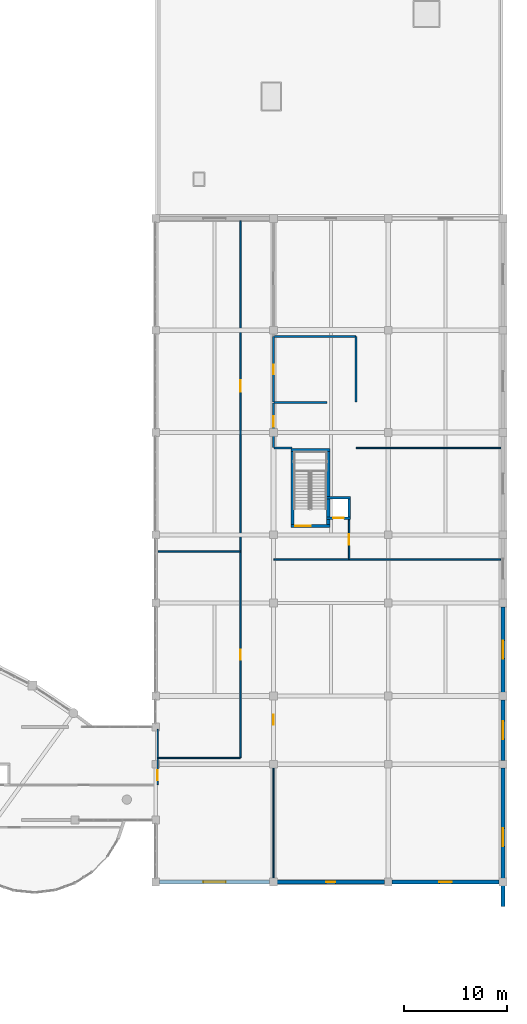
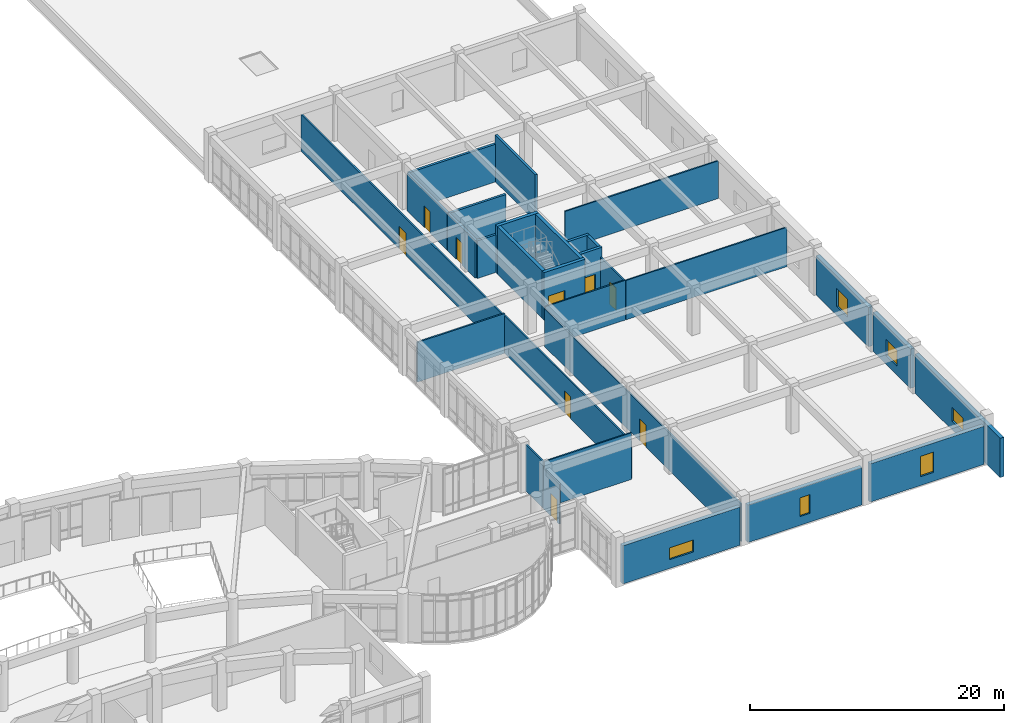
# One storey, part 55 of 68: 30 walls, 9 doors, 6 windows, 15 openings.
"""IFC4 building model written with IfcOpenShell, lengths in metres."""

from ifc_helpers import new_model, si_unit, direction, frame, frame_2d, origin, place, context, subcontext, project, spatial, rectangle, extrude, material, layer, layer_set, type_object, element, fill, save


model = new_model("IFC4")

# Units and contexts
model_context = context("Model", 3, precision=1e-05, world=origin(), true_north=direction((0.0, 1.0)))
body_context = subcontext(model_context, "Body", "Model", "MODEL_VIEW")
ifc_project = project(units=[si_unit("LENGTHUNIT", "METRE"), si_unit("AREAUNIT", "SQUARE_METRE"), si_unit("VOLUMEUNIT", "CUBIC_METRE"), si_unit("PLANEANGLEUNIT", "RADIAN"), si_unit("MASSUNIT", "GRAM", prefix="KILO")], contexts=[model_context])

# Site, building, storey
site_placement = place(None, origin())
site = spatial("IfcSite", under=ifc_project, at=site_placement, CompositionType="ELEMENT")
building_placement = place(site_placement, origin())
building = spatial("IfcBuilding", under=site, at=building_placement, Name="Miralva Faculty of Natural Sciences", CompositionType="ELEMENT")
storey_placement = place(building_placement, frame((0.0, 0.0, 5.39990234375)))
storey = spatial("IfcBuildingStorey", under=building, at=storey_placement, Name="L01", CompositionType="ELEMENT", Elevation=5.39990234375)

# Wall, opening, door
ifc_material_1 = material(Name="Concrete C40/50", Category="concrete")
ifc_layer_1 = layer(ifc_material_1, 0.300048828125, Name="WL-CW03")
ifc_layer_set_1 = layer_set([ifc_layer_1], Name="Concrete C40/50")
wall_type_1 = type_object("IfcWallType", Name="WL-CW03", PredefinedType="SHEAR", material=ifc_layer_set_1)
wall_1_placement = place(storey_placement, frame((146.89990234375, 46.449951171875, 0.0), z_axis=(0.0, 0.0, 1.0), x_axis=(1.0, 0.0, 0.0)))
wall_1 = element("IfcWall", 1, at=wall_1_placement, inside=storey, type_object=wall_type_1, Name="Core C4 shear wall south L01", PredefinedType="SHEAR", context=body_context, shape_type="SweptSolid", body=[
    extrude(rectangle(XDim=3.75, YDim=0.300048828125, at=frame_2d((1.875, 0.0))), origin(), (0.0, 0.0, 1.0), 4.580078125),
])
opening_1_placement = place(wall_1_placement, frame((0.39990234375, 0.0, 0.0)))
opening_1 = element("IfcOpeningElement", 2, at=opening_1_placement, cuts=wall_1, Name="Opening D-11", PredefinedType="OPENING", context=body_context, shape_type="SweptSolid", body=[
    extrude(rectangle(XDim=1.5, YDim=2.199951171875, at=frame_2d((0.75, 1.10009765625))), frame((0.0, 0.159912109375, 0.0), z_axis=(0.0, -1.0, 0.0), x_axis=(1.0, 0.0, 0.0)), (0.0, 0.0, 1.0), 0.320068359375),
])
ifc_material_2 = material(Name="Galvanised steel", Category="steel")
door_type_1 = type_object("IfcDoorType", Name="DR-DI11", OperationType="DOUBLE_DOOR_SINGLE_SWING", PredefinedType="DOOR", material=ifc_material_2)
door_1_placement = place(opening_1_placement, frame((1.5, 0.0, 0.0), z_axis=(0.0, 0.0, 1.0), x_axis=(-1.0, 0.0, 0.0)))
door_1 = element("IfcDoor", 3, at=door_1_placement, inside=storey, type_object=door_type_1, Name="Protected exit stair door Core C4 L01", OperationType="DOUBLE_DOOR_SINGLE_SWING", OverallHeight=2.199951171875, OverallWidth=1.5, PredefinedType="DOOR", context=body_context, shape_type="SweptSolid", body=[
    extrude(rectangle(XDim=1.5, YDim=2.199951171875, at=frame_2d((0.75, 1.10009765625))), frame((0.0, 0.02490234375, 0.0), z_axis=(0.0, -1.0, 0.0), x_axis=(1.0, 0.0, 0.0)), (0.0, 0.0, 1.0), 0.050048828125),
])
fill(opening_1, door_1)

# Walls
wall_2_placement = place(storey_placement, frame((146.89990234375, 53.800048828125, 0.0), z_axis=(0.0, 0.0, 1.0), x_axis=(1.0, 0.0, 0.0)))
element("IfcWall", 4, at=wall_2_placement, inside=storey, type_object=wall_type_1, Name="Core C4 shear wall north L01", PredefinedType="SHEAR", context=body_context, shape_type="SweptSolid", body=[
    extrude(rectangle(XDim=3.75, YDim=0.300048828125, at=frame_2d((1.875, 0.0))), origin(), (0.0, 0.0, 1.0), 4.580078125),
])
for number, where, z_axis, x_axis, name in (
    (5, (147.050048828125, 46.60009765625, 0.0), (0.0, 0.0, 1.0), (0.0, 1.0, 0.0), "Core C4 shear wall west L01"),
    (6, (150.5, 46.60009765625, 0.0), (0.0, 0.0, 1.0), (0.0, 1.0, 0.0), "Core C4 shear wall east L01"),
):
    element("IfcWall", number, at=place(storey_placement, frame(where, z_axis=z_axis, x_axis=x_axis)), inside=storey, type_object=wall_type_1, Name=name, PredefinedType="SHEAR", context=body_context, shape_type="SweptSolid", body=[
        extrude(rectangle(XDim=7.0498046875, YDim=0.300048828125, at=frame_2d((3.52490234375, 0.0))), origin(), (0.0, 0.0, 1.0), 4.580078125),
    ])

# Wall, opening, door
ifc_layer_2 = layer(ifc_material_1, 0.25, Name="WL-CW04")
ifc_layer_set_2 = layer_set([ifc_layer_2], Name="Concrete C40/50")
wall_type_2 = type_object("IfcWallType", Name="WL-CW04", PredefinedType="SHEAR", material=ifc_layer_set_2)
wall_3_placement = place(storey_placement, frame((150.35498046875, 47.205078125, 0.0), z_axis=(0.0, 0.0, 1.0), x_axis=(1.0, 0.0, 0.0)))
wall_3 = element("IfcWall", 7, at=wall_3_placement, inside=storey, type_object=wall_type_2, Name="Lift L-06 hoistway front wall L01", PredefinedType="SHEAR", context=body_context, shape_type="SweptSolid", body=[
    extrude(rectangle(XDim=2.2900390625, YDim=0.25, at=frame_2d((1.14501953125, 0.0))), origin(), (0.0, 0.0, 1.0), 4.56005859375),
])
opening_2_placement = place(wall_3_placement, frame((0.6201171875, 0.0, 0.0)))
opening_2 = element("IfcOpeningElement", 8, at=opening_2_placement, cuts=wall_3, Name="Opening LD-03", PredefinedType="OPENING", context=body_context, shape_type="SweptSolid", body=[
    extrude(rectangle(XDim=1.050048828125, YDim=2.14990234375, at=frame_2d((0.52490234375, 1.074951171875))), frame((0.0, 0.135009765625, 0.0), z_axis=(0.0, -1.0, 0.0), x_axis=(1.0, 0.0, 0.0)), (0.0, 0.0, 1.0), 0.27001953125),
])
door_type_2 = type_object("IfcDoorType", Name="DR-LD03", OperationType="SLIDING_TO_RIGHT", PredefinedType="DOOR", material=ifc_material_2)
door_2_placement = place(opening_2_placement, frame((1.050048828125, 0.0, 0.0), z_axis=(0.0, 0.0, 1.0), x_axis=(-1.0, 0.0, 0.0)))
door_2 = element("IfcDoor", 9, at=door_2_placement, inside=storey, type_object=door_type_2, Name="Lift L-06 sliding landing door L01", OperationType="SLIDING_TO_RIGHT", OverallHeight=2.14990234375, OverallWidth=1.050048828125, PredefinedType="DOOR", context=body_context, shape_type="SweptSolid", body=[
    extrude(rectangle(XDim=1.050048828125, YDim=2.14990234375, at=frame_2d((0.52490234375, 1.074951171875))), frame((0.0, 0.02490234375, 0.0), z_axis=(0.0, -1.0, 0.0), x_axis=(1.0, 0.0, 0.0)), (0.0, 0.0, 1.0), 0.050048828125),
])
fill(opening_2, door_2)

# Walls
wall_4_placement = place(storey_placement, frame((150.35498046875, 49.195068359375, 0.0), z_axis=(0.0, 0.0, 1.0), x_axis=(1.0, 0.0, 0.0)))
element("IfcWall", 10, at=wall_4_placement, inside=storey, type_object=wall_type_2, Name="Lift L-06 hoistway rear wall L01", PredefinedType="SHEAR", context=body_context, shape_type="SweptSolid", body=[
    extrude(rectangle(XDim=2.2900390625, YDim=0.25, at=frame_2d((1.14501953125, 0.0))), origin(), (0.0, 0.0, 1.0), 4.56005859375),
])
wall_5_placement = place(storey_placement, frame((152.52001953125, 47.330078125, 0.0), z_axis=(0.0, 0.0, 1.0), x_axis=(0.0, 1.0, 0.0)))
element("IfcWall", 11, at=wall_5_placement, inside=storey, type_object=wall_type_2, Name="Lift L-06 hoistway E wall L01", PredefinedType="SHEAR", context=body_context, shape_type="SweptSolid", body=[
    extrude(rectangle(XDim=1.739990234375, YDim=0.25, at=frame_2d((0.8701171875, 0.0))), origin(), (0.0, 0.0, 1.0), 4.56005859375),
])
ifc_material_3 = material(Name="Gypsum plasterboard")
ifc_layer_3 = layer(ifc_material_3, 0.139892578125, Name="WL-PT04")
ifc_layer_set_3 = layer_set([ifc_layer_3], Name="Gypsum plasterboard")
wall_type_3 = type_object("IfcWallType", Name="WL-PT04", PredefinedType="PARTITIONING", material=ifc_layer_set_3)
wall_6_placement = place(storey_placement, frame((134.030029296875, 44.0, 0.0), z_axis=(0.0, 0.0, 1.0), x_axis=(1.0, 0.0, 0.0)))
element("IfcWall", 12, at=wall_6_placement, inside=storey, type_object=wall_type_3, Name="Interior partition PT-04 L01-201", PredefinedType="PARTITIONING", context=body_context, shape_type="SweptSolid", body=[
    extrude(rectangle(XDim=7.93994140625, YDim=0.139892578125, at=frame_2d((3.969970703125, 0.0))), origin(), (0.0, 0.0, 1.0), 3.8251953125),
])

# Wall, opening, door
wall_7_placement = place(storey_placement, frame((142.0, 44.030029296875, 0.0), z_axis=(0.0, 0.0, 1.0), x_axis=(0.0, 1.0, 0.0)))
wall_7 = element("IfcWall", 13, at=wall_7_placement, inside=storey, type_object=wall_type_3, Name="Interior partition PT-04 L01-207", PredefinedType="PARTITIONING", context=body_context, shape_type="SweptSolid", body=[
    extrude(rectangle(XDim=31.93994140625, YDim=0.139892578125, at=frame_2d((15.969970703125, 0.0))), origin(), (0.0, 0.0, 1.0), 3.55517578125),
])
opening_3_placement = place(wall_7_placement, frame((15.429931640625, 0.0, 0.0)))
opening_3 = element("IfcOpeningElement", 14, at=opening_3_placement, cuts=wall_7, Name="Opening D-32", PredefinedType="OPENING", context=body_context, shape_type="SweptSolid", body=[
    extrude(rectangle(XDim=1.080078125, YDim=2.14990234375, at=frame_2d((0.5400390625, 1.074951171875))), frame((0.0, 0.079833984375, 0.0), z_axis=(0.0, -1.0, 0.0), x_axis=(1.0, 0.0, 0.0)), (0.0, 0.0, 1.0), 0.159912109375),
])
ifc_material_4 = material(Name="Anodised aluminium", Category="aluminium")
door_type_3 = type_object("IfcDoorType", Name="DR-DI32", OperationType="NOTDEFINED", PredefinedType="DOOR", material=ifc_material_4)
door_3_placement = place(opening_3_placement, origin())
door_3 = element("IfcDoor", 15, at=door_3_placement, inside=storey, type_object=door_type_3, Name="Interior door D-32 L01-76", OperationType="SINGLE_SWING_RIGHT", OverallHeight=2.14990234375, OverallWidth=1.080078125, PredefinedType="DOOR", context=body_context, shape_type="SweptSolid", body=[
    extrude(rectangle(XDim=1.080078125, YDim=2.14990234375, at=frame_2d((0.5400390625, 1.074951171875))), frame((0.0, 0.02490234375, 0.0), z_axis=(0.0, -1.0, 0.0), x_axis=(1.0, 0.0, 0.0)), (0.0, 0.0, 1.0), 0.050048828125),
])
fill(opening_3, door_3)

# Wall
ifc_layer_4 = layer(ifc_material_3, 0.125, Name="WL-PT05")
ifc_layer_set_4 = layer_set([ifc_layer_4], Name="Gypsum plasterboard")
wall_type_4 = type_object("IfcWallType", Name="WL-PT05", PredefinedType="PARTITIONING", material=ifc_layer_set_4)
wall_8_placement = place(storey_placement, frame((134.0, 24.030029296875, 0.0), z_axis=(0.0, 0.0, 1.0), x_axis=(0.0, 1.0, 0.0)))
element("IfcWall", 16, at=wall_8_placement, inside=storey, type_object=wall_type_4, Name="Interior partition PT-05 L01-199", PredefinedType="PARTITIONING", context=body_context, shape_type="SweptSolid", body=[
    extrude(rectangle(XDim=2.739990234375, YDim=0.125, at=frame_2d((1.3701171875, 0.0))), origin(), (0.0, 0.0, 1.0), 4.47998046875),
])

# Wall, opening, door
wall_9_placement = place(storey_placement, frame((134.0, 21.429931640625, 0.0), z_axis=(0.0, 0.0, 1.0), x_axis=(0.0, 1.0, 0.0)))
wall_9 = element("IfcWall", 17, at=wall_9_placement, inside=storey, type_object=wall_type_4, Name="Interior partition PT-05 L01-200", PredefinedType="PARTITIONING", context=body_context, shape_type="SweptSolid", body=[
    extrude(rectangle(XDim=2.5400390625, YDim=0.125, at=frame_2d((1.27001953125, 0.0))), origin(), (0.0, 0.0, 1.0), 3.8251953125),
])
opening_4_placement = place(wall_9_placement, frame((0.409912109375, 0.0, 0.0)))
opening_4 = element("IfcOpeningElement", 18, at=opening_4_placement, cuts=wall_9, Name="Opening D-25", PredefinedType="OPENING", context=body_context, shape_type="SweptSolid", body=[
    extrude(rectangle(XDim=1.0, YDim=2.14990234375, at=frame_2d((0.5, 1.074951171875))), frame((0.0, 0.072509765625, 0.0), z_axis=(0.0, -1.0, 0.0), x_axis=(1.0, 0.0, 0.0)), (0.0, 0.0, 1.0), 0.14501953125),
])
door_type_4 = type_object("IfcDoorType", Name="DR-DI25", OperationType="NOTDEFINED", PredefinedType="DOOR", material=ifc_material_4)
door_4_placement = place(opening_4_placement, origin())
door_4 = element("IfcDoor", 19, at=door_4_placement, inside=storey, type_object=door_type_4, Name="Interior door D-25 L01-72", OperationType="SINGLE_SWING_RIGHT", OverallHeight=2.14990234375, OverallWidth=1.0, PredefinedType="DOOR", context=body_context, shape_type="SweptSolid", body=[
    extrude(rectangle(XDim=1.0, YDim=2.14990234375, at=frame_2d((0.5, 1.074951171875))), frame((0.0, 0.02490234375, 0.0), z_axis=(0.0, -1.0, 0.0), x_axis=(1.0, 0.0, 0.0)), (0.0, 0.0, 1.0), 0.050048828125),
])
fill(opening_4, door_4)

wall_10_placement = place(storey_placement, frame((142.0, 24.030029296875, 0.0), z_axis=(0.0, 0.0, 1.0), x_axis=(0.0, 1.0, 0.0)))
wall_10 = element("IfcWall", 20, at=wall_10_placement, inside=storey, type_object=wall_type_4, Name="Interior partition PT-05 L01-202", PredefinedType="PARTITIONING", context=body_context, shape_type="SweptSolid", body=[
    extrude(rectangle(XDim=19.93994140625, YDim=0.125, at=frame_2d((9.969970703125, 0.0))), origin(), (0.0, 0.0, 1.0), 3.614990234375),
])
opening_5_placement = place(wall_10_placement, frame((9.469970703125, 0.0, 0.0)))
opening_5 = element("IfcOpeningElement", 21, at=opening_5_placement, cuts=wall_10, Name="Opening D-25", PredefinedType="OPENING", context=body_context, shape_type="SweptSolid", body=[
    extrude(rectangle(XDim=1.0, YDim=2.14990234375, at=frame_2d((0.5, 1.074951171875))), frame((0.0, 0.072509765625, 0.0), z_axis=(0.0, -1.0, 0.0), x_axis=(1.0, 0.0, 0.0)), (0.0, 0.0, 1.0), 0.14501953125),
])
door_5_placement = place(opening_5_placement, origin())
door_5 = element("IfcDoor", 22, at=door_5_placement, inside=storey, type_object=door_type_4, Name="Interior door D-25 L01-74", OperationType="SINGLE_SWING_RIGHT", OverallHeight=2.14990234375, OverallWidth=1.0, PredefinedType="DOOR", context=body_context, shape_type="SweptSolid", body=[
    extrude(rectangle(XDim=1.0, YDim=2.14990234375, at=frame_2d((0.5, 1.074951171875))), frame((0.0, 0.02490234375, 0.0), z_axis=(0.0, -1.0, 0.0), x_axis=(1.0, 0.0, 0.0)), (0.0, 0.0, 1.0), 0.050048828125),
])
fill(opening_5, door_5)

# Walls
wall_11_placement = place(storey_placement, frame((134.030029296875, 24.0, 0.0), z_axis=(0.0, 0.0, 1.0), x_axis=(1.0, 0.0, 0.0)))
element("IfcWall", 23, at=wall_11_placement, inside=storey, type_object=wall_type_4, Name="Interior partition PT-05 L01-203", PredefinedType="PARTITIONING", context=body_context, shape_type="SweptSolid", body=[
    extrude(rectangle(XDim=7.93994140625, YDim=0.125, at=frame_2d((3.969970703125, 0.0))), origin(), (0.0, 0.0, 1.0), 4.47998046875),
])
wall_12_placement = place(storey_placement, frame((152.550048828125, 43.199951171875, 0.0), z_axis=(0.0, 0.0, 1.0), x_axis=(1.0, 0.0, 0.0)))
element("IfcWall", 24, at=wall_12_placement, inside=storey, type_object=wall_type_4, Name="Interior partition PT-05 L01-204", PredefinedType="PARTITIONING", context=body_context, shape_type="SweptSolid", body=[
    extrude(rectangle(XDim=14.619873046875, YDim=0.125, at=frame_2d((7.31005859375, 0.0))), origin(), (0.0, 0.0, 1.0), 3.775146484375),
])

# Wall, opening, door
wall_13_placement = place(storey_placement, frame((145.199951171875, 12.22998046875, 0.0), z_axis=(0.0, 0.0, 1.0), x_axis=(0.0, 1.0, 0.0)))
wall_13 = element("IfcWall", 25, at=wall_13_placement, inside=storey, type_object=wall_type_4, Name="Interior partition PT-05 L01-205", PredefinedType="PARTITIONING", context=body_context, shape_type="SweptSolid", body=[
    extrude(rectangle(XDim=30.93994140625, YDim=0.125, at=frame_2d((15.469970703125, 0.0))), origin(), (0.0, 0.0, 1.0), 3.625),
])
opening_6_placement = place(wall_13_placement, frame((14.969970703125, 0.0, 0.0)))
opening_6 = element("IfcOpeningElement", 26, at=opening_6_placement, cuts=wall_13, Name="Opening D-25", PredefinedType="OPENING", context=body_context, shape_type="SweptSolid", body=[
    extrude(rectangle(XDim=1.0, YDim=2.14990234375, at=frame_2d((0.5, 1.074951171875))), frame((0.0, 0.072509765625, 0.0), z_axis=(0.0, -1.0, 0.0), x_axis=(1.0, 0.0, 0.0)), (0.0, 0.0, 1.0), 0.14501953125),
])
door_6_placement = place(opening_6_placement, origin())
door_6 = element("IfcDoor", 27, at=door_6_placement, inside=storey, type_object=door_type_4, Name="Interior door D-25 L01-75", OperationType="SINGLE_SWING_LEFT", OverallHeight=2.14990234375, OverallWidth=1.0, PredefinedType="DOOR", context=body_context, shape_type="SweptSolid", body=[
    extrude(rectangle(XDim=1.0, YDim=2.14990234375, at=frame_2d((0.5, 1.074951171875))), frame((0.0, 0.02490234375, 0.0), z_axis=(0.0, -1.0, 0.0), x_axis=(1.0, 0.0, 0.0)), (0.0, 0.0, 1.0), 0.050048828125),
])
fill(opening_6, door_6)

# Walls
wall_14_placement = place(storey_placement, frame((145.22998046875, 43.199951171875, 0.0), z_axis=(0.0, 0.0, 1.0), x_axis=(1.0, 0.0, 0.0)))
element("IfcWall", 28, at=wall_14_placement, inside=storey, type_object=wall_type_4, Name="Interior partition PT-05 L01-206", PredefinedType="PARTITIONING", context=body_context, shape_type="SweptSolid", body=[
    extrude(rectangle(XDim=7.260009765625, YDim=0.125, at=frame_2d((3.6298828125, 0.0))), origin(), (0.0, 0.0, 1.0), 3.8251953125),
])
wall_15_placement = place(storey_placement, frame((153.22998046875, 54.0, 0.0), z_axis=(0.0, 0.0, 1.0), x_axis=(1.0, 0.0, 0.0)))
element("IfcWall", 29, at=wall_15_placement, inside=storey, type_object=wall_type_4, Name="Interior partition PT-05 L01-208", PredefinedType="PARTITIONING", context=body_context, shape_type="SweptSolid", body=[
    extrude(rectangle(XDim=13.93994140625, YDim=0.125, at=frame_2d((6.969970703125, 0.0))), origin(), (0.0, 0.0, 1.0), 3.625),
])

# Wall, opening, door
wall_16_placement = place(storey_placement, frame((152.52001953125, 43.22998046875, 0.0), z_axis=(0.0, 0.0, 1.0), x_axis=(0.0, 1.0, 0.0)))
wall_16 = element("IfcWall", 30, at=wall_16_placement, inside=storey, type_object=wall_type_4, Name="Interior partition PT-05 L01-209", PredefinedType="PARTITIONING", context=body_context, shape_type="SweptSolid", body=[
    extrude(rectangle(XDim=3.81494140625, YDim=0.125, at=frame_2d((1.907470703125, 0.0))), origin(), (0.0, 0.0, 1.0), 3.695068359375),
])
opening_7_placement = place(wall_16_placement, frame((1.407470703125, 0.0, 0.0)))
opening_7 = element("IfcOpeningElement", 31, at=opening_7_placement, cuts=wall_16, Name="Opening D-25", PredefinedType="OPENING", context=body_context, shape_type="SweptSolid", body=[
    extrude(rectangle(XDim=1.0, YDim=2.14990234375, at=frame_2d((0.5, 1.074951171875))), frame((0.0, 0.072509765625, 0.0), z_axis=(0.0, -1.0, 0.0), x_axis=(1.0, 0.0, 0.0)), (0.0, 0.0, 1.0), 0.14501953125),
])
door_7_placement = place(opening_7_placement, origin())
door_7 = element("IfcDoor", 32, at=door_7_placement, inside=storey, type_object=door_type_4, Name="Interior door D-25 L01-77", OperationType="SINGLE_SWING_LEFT", OverallHeight=2.14990234375, OverallWidth=1.0, PredefinedType="DOOR", context=body_context, shape_type="SweptSolid", body=[
    extrude(rectangle(XDim=1.0, YDim=2.14990234375, at=frame_2d((0.5, 1.074951171875))), frame((0.0, 0.02490234375, 0.0), z_axis=(0.0, -1.0, 0.0), x_axis=(1.0, 0.0, 0.0)), (0.0, 0.0, 1.0), 0.050048828125),
])
fill(opening_7, door_7)

# Walls
ifc_layer_5 = layer(ifc_material_3, 0.2099609375, Name="WL-PT06")
ifc_layer_set_5 = layer_set([ifc_layer_5], Name="Gypsum plasterboard")
wall_type_5 = type_object("IfcWallType", Name="WL-PT06", PredefinedType="PLUMBINGWALL", material=ifc_layer_set_5)
wall_17_placement = place(storey_placement, frame((145.22998046875, 58.39990234375, 0.0), z_axis=(0.0, 0.0, 1.0), x_axis=(1.0, 0.0, 0.0)))
element("IfcWall", 33, at=wall_17_placement, inside=storey, type_object=wall_type_5, Name="Interior partition PT-06 L01-210", PredefinedType="PLUMBINGWALL", context=body_context, shape_type="SweptSolid", body=[
    extrude(rectangle(XDim=5.14013671875, YDim=0.2099609375, at=frame_2d((2.570068359375, 0.0))), origin(), (0.0, 0.0, 1.0), 3.625),
])
wall_18_placement = place(storey_placement, frame((145.22998046875, 54.0, 0.0), z_axis=(0.0, 0.0, 1.0), x_axis=(1.0, 0.0, 0.0)))
element("IfcWall", 34, at=wall_18_placement, inside=storey, type_object=wall_type_5, Name="Interior partition PT-06 L01-211", PredefinedType="PLUMBINGWALL", context=body_context, shape_type="SweptSolid", body=[
    extrude(rectangle(XDim=1.739990234375, YDim=0.2099609375, at=frame_2d((0.8701171875, 0.0))), origin(), (0.0, 0.0, 1.0), 3.625),
])

# Wall, opening, door
wall_19_placement = place(storey_placement, frame((145.199951171875, 54.030029296875, 0.0), z_axis=(0.0, 0.0, 1.0), x_axis=(0.0, 1.0, 0.0)))
wall_19 = element("IfcWall", 35, at=wall_19_placement, inside=storey, type_object=wall_type_5, Name="Interior partition PT-06 L01-212", PredefinedType="PLUMBINGWALL", context=body_context, shape_type="SweptSolid", body=[
    extrude(rectangle(XDim=4.340087890625, YDim=0.2099609375, at=frame_2d((2.169921875, 0.0))), origin(), (0.0, 0.0, 1.0), 3.625),
])
opening_8_placement = place(wall_19_placement, frame((2.0400390625, 0.0, 0.0)))
opening_8 = element("IfcOpeningElement", 36, at=opening_8_placement, cuts=wall_19, Name="Opening D-26", PredefinedType="OPENING", context=body_context, shape_type="SweptSolid", body=[
    extrude(rectangle(XDim=0.97998046875, YDim=2.10009765625, at=frame_2d((0.489990234375, 1.050048828125))), frame((0.0, 0.114990234375, 0.0), z_axis=(0.0, -1.0, 0.0), x_axis=(1.0, 0.0, 0.0)), (0.0, 0.0, 1.0), 0.22998046875),
])
door_type_5 = type_object("IfcDoorType", Name="DR-DI26", OperationType="NOTDEFINED", PredefinedType="DOOR", material=ifc_material_4)
door_8_placement = place(opening_8_placement, origin())
door_8 = element("IfcDoor", 37, at=door_8_placement, inside=storey, type_object=door_type_5, Name="Interior door D-26 L01-78", OperationType="SINGLE_SWING_RIGHT", OverallHeight=2.10009765625, OverallWidth=0.97998046875, PredefinedType="DOOR", context=body_context, shape_type="SweptSolid", body=[
    extrude(rectangle(XDim=0.97998046875, YDim=2.10009765625, at=frame_2d((0.489990234375, 1.050048828125))), frame((0.0, 0.02490234375, 0.0), z_axis=(0.0, -1.0, 0.0), x_axis=(1.0, 0.0, 0.0)), (0.0, 0.0, 1.0), 0.050048828125),
])
fill(opening_8, door_8)

# Walls
wall_20_placement = place(storey_placement, frame((145.22998046875, 64.800048828125, 0.0), z_axis=(0.0, 0.0, 1.0), x_axis=(1.0, 0.0, 0.0)))
element("IfcWall", 38, at=wall_20_placement, inside=storey, type_object=wall_type_5, Name="Interior partition PT-06 L01-213", PredefinedType="PLUMBINGWALL", context=body_context, shape_type="SweptSolid", body=[
    extrude(rectangle(XDim=7.93994140625, YDim=0.2099609375, at=frame_2d((3.969970703125, 0.0))), origin(), (0.0, 0.0, 1.0), 3.625),
])
wall_21_placement = place(storey_placement, frame((153.199951171875, 58.429931640625, 0.0), z_axis=(0.0, 0.0, 1.0), x_axis=(0.0, 1.0, 0.0)))
element("IfcWall", 39, at=wall_21_placement, inside=storey, type_object=wall_type_5, Name="Interior partition PT-06 L01-214", PredefinedType="PLUMBINGWALL", context=body_context, shape_type="SweptSolid", body=[
    extrude(rectangle(XDim=6.340087890625, YDim=0.2099609375, at=frame_2d((3.169921875, 0.0))), origin(), (0.0, 0.0, 1.0), 4.47998046875),
])

# Wall, opening, door
wall_22_placement = place(storey_placement, frame((145.199951171875, 58.429931640625, 0.0), z_axis=(0.0, 0.0, 1.0), x_axis=(0.0, 1.0, 0.0)))
wall_22 = element("IfcWall", 40, at=wall_22_placement, inside=storey, type_object=wall_type_5, Name="Interior partition PT-06 L01-215", PredefinedType="PLUMBINGWALL", context=body_context, shape_type="SweptSolid", body=[
    extrude(rectangle(XDim=6.340087890625, YDim=0.2099609375, at=frame_2d((3.169921875, 0.0))), origin(), (0.0, 0.0, 1.0), 3.625),
])
opening_9_placement = place(wall_22_placement, frame((2.7099609375, 0.0, 0.0)))
opening_9 = element("IfcOpeningElement", 41, at=opening_9_placement, cuts=wall_22, Name="Opening D-27", PredefinedType="OPENING", context=body_context, shape_type="SweptSolid", body=[
    extrude(rectangle(XDim=0.919921875, YDim=2.10009765625, at=frame_2d((0.4599609375, 1.050048828125))), frame((0.0, 0.114990234375, 0.0), z_axis=(0.0, -1.0, 0.0), x_axis=(1.0, 0.0, 0.0)), (0.0, 0.0, 1.0), 0.22998046875),
])
door_type_6 = type_object("IfcDoorType", Name="DR-DI27", OperationType="NOTDEFINED", PredefinedType="DOOR", material=ifc_material_4)
door_9_placement = place(opening_9_placement, origin())
door_9 = element("IfcDoor", 42, at=door_9_placement, inside=storey, type_object=door_type_6, Name="Interior door D-27 L01-79", OperationType="SINGLE_SWING_LEFT", OverallHeight=2.10009765625, OverallWidth=0.919921875, PredefinedType="DOOR", context=body_context, shape_type="SweptSolid", body=[
    extrude(rectangle(XDim=0.919921875, YDim=2.10009765625, at=frame_2d((0.4599609375, 1.050048828125))), frame((0.0, 0.02490234375, 0.0), z_axis=(0.0, -1.0, 0.0), x_axis=(1.0, 0.0, 0.0)), (0.0, 0.0, 1.0), 0.050048828125),
])
fill(opening_9, door_9)

# Wall, opening, window
ifc_material_5 = material(Name="Volcanic tuff architectural stone", Category="masonry")
ifc_layer_6 = layer(ifc_material_5, 0.360107421875, Name="WL-WT01")
ifc_layer_set_6 = layer_set([ifc_layer_6], Name="Volcanic tuff architectural stone")
wall_type_6 = type_object("IfcWallType", Name="WL-WT01", PredefinedType="SOLIDWALL", material=ifc_layer_set_6)
wall_23_placement = place(storey_placement, frame((167.39990234375, 9.6201171875, 0.0), z_axis=(0.0, 0.0, 1.0), x_axis=(0.0, 1.0, 0.0)))
wall_23 = element("IfcWall", 43, at=wall_23_placement, inside=storey, type_object=wall_type_6, Name="Exterior wall L01-299", PredefinedType="SOLIDWALL", context=body_context, shape_type="SweptSolid", body=[
    extrude(rectangle(XDim=13.414794921875, YDim=0.360107421875, at=frame_2d((6.70751953125, 0.0))), origin(), (0.0, 0.0, 1.0), 3.775146484375),
])
opening_10_placement = place(wall_23_placement, frame((5.83251953125, 0.0, 0.85009765625)))
opening_10 = element("IfcOpeningElement", 44, at=opening_10_placement, cuts=wall_23, Name="Opening W-62", PredefinedType="OPENING", context=body_context, shape_type="SweptSolid", body=[
    extrude(rectangle(XDim=1.75, YDim=1.35009765625, at=frame_2d((0.875, 0.675048828125))), frame((0.0, 0.18994140625, 0.0), z_axis=(0.0, -1.0, 0.0), x_axis=(1.0, 0.0, 0.0)), (0.0, 0.0, 1.0), 0.380126953125),
])
ifc_material_6 = material(Name="Laminated solar-control glass", Category="glass")
window_type_1 = type_object("IfcWindowType", Name="WN-W62", PartitioningType="DOUBLE_PANEL_VERTICAL", PredefinedType="WINDOW", material=ifc_material_6)
window_1_placement = place(opening_10_placement, frame((1.75, 0.0, 0.0), z_axis=(0.0, 0.0, 1.0), x_axis=(-1.0, 0.0, 0.0)))
window_1 = element("IfcWindow", 45, at=window_1_placement, inside=storey, type_object=window_type_1, Name="Window W-62 L01-224", OverallHeight=1.35009765625, OverallWidth=1.75, PartitioningType="DOUBLE_PANEL_VERTICAL", PredefinedType="WINDOW", context=body_context, shape_type="SweptSolid", body=[
    extrude(rectangle(XDim=1.75, YDim=1.35009765625, at=frame_2d((0.875, 0.675048828125))), frame((0.0, 0.030029296875, 0.0), z_axis=(0.0, -1.0, 0.0), x_axis=(1.0, 0.0, 0.0)), (0.0, 0.0, 1.0), 0.06005859375),
])
fill(opening_10, window_1)

wall_24_placement = place(storey_placement, frame((167.39990234375, 23.764892578125, 0.0), z_axis=(0.0, 0.0, 1.0), x_axis=(0.0, 1.0, 0.0)))
wall_24 = element("IfcWall", 46, at=wall_24_placement, inside=storey, type_object=wall_type_6, Name="Exterior wall L01-300", PredefinedType="SOLIDWALL", context=body_context, shape_type="SweptSolid", body=[
    extrude(rectangle(XDim=5.8701171875, YDim=0.360107421875, at=frame_2d((2.93505859375, 0.0))), origin(), (0.0, 0.0, 1.0), 3.775146484375),
])
opening_11_placement = place(wall_24_placement, frame((2.06005859375, 0.0, 0.85009765625)))
opening_11 = element("IfcOpeningElement", 47, at=opening_11_placement, cuts=wall_24, Name="Opening W-63", PredefinedType="OPENING", context=body_context, shape_type="SweptSolid", body=[
    extrude(rectangle(XDim=1.75, YDim=1.550048828125, at=frame_2d((0.875, 0.77490234375))), frame((0.0, 0.18994140625, 0.0), z_axis=(0.0, -1.0, 0.0), x_axis=(1.0, 0.0, 0.0)), (0.0, 0.0, 1.0), 0.380126953125),
])
window_type_2 = type_object("IfcWindowType", Name="WN-W63", PartitioningType="DOUBLE_PANEL_VERTICAL", PredefinedType="WINDOW", material=ifc_material_6)
window_2_placement = place(opening_11_placement, frame((1.75, 0.0, 0.0), z_axis=(0.0, 0.0, 1.0), x_axis=(-1.0, 0.0, 0.0)))
window_2 = element("IfcWindow", 48, at=window_2_placement, inside=storey, type_object=window_type_2, Name="Window W-63 L01-225", OverallHeight=1.550048828125, OverallWidth=1.75, PartitioningType="DOUBLE_PANEL_VERTICAL", PredefinedType="WINDOW", context=body_context, shape_type="SweptSolid", body=[
    extrude(rectangle(XDim=1.75, YDim=1.550048828125, at=frame_2d((0.875, 0.77490234375))), frame((0.0, 0.030029296875, 0.0), z_axis=(0.0, -1.0, 0.0), x_axis=(1.0, 0.0, 0.0)), (0.0, 0.0, 1.0), 0.06005859375),
])
fill(opening_11, window_2)

wall_25_placement = place(storey_placement, frame((167.39990234375, 30.364990234375, 0.0), z_axis=(0.0, 0.0, 1.0), x_axis=(0.0, 1.0, 0.0)))
wall_25 = element("IfcWall", 49, at=wall_25_placement, inside=storey, type_object=wall_type_6, Name="Exterior wall L01-301", PredefinedType="SOLIDWALL", context=body_context, shape_type="SweptSolid", body=[
    extrude(rectangle(XDim=8.27001953125, YDim=0.360107421875, at=frame_2d((4.135009765625, 0.0))), origin(), (0.0, 0.0, 1.0), 3.775146484375),
])
opening_12_placement = place(wall_25_placement, frame((3.260009765625, 0.0, 0.85009765625)))
opening_12 = element("IfcOpeningElement", 50, at=opening_12_placement, cuts=wall_25, Name="Opening W-64", PredefinedType="OPENING", context=body_context, shape_type="SweptSolid", body=[
    extrude(rectangle(XDim=1.75, YDim=1.75, at=frame_2d((0.875, 0.875))), frame((0.0, 0.18994140625, 0.0), z_axis=(0.0, -1.0, 0.0), x_axis=(1.0, 0.0, 0.0)), (0.0, 0.0, 1.0), 0.380126953125),
])
window_type_3 = type_object("IfcWindowType", Name="WN-W64", PartitioningType="DOUBLE_PANEL_VERTICAL", PredefinedType="WINDOW", material=ifc_material_6)
window_3_placement = place(opening_12_placement, frame((1.75, 0.0, 0.0), z_axis=(0.0, 0.0, 1.0), x_axis=(-1.0, 0.0, 0.0)))
window_3 = element("IfcWindow", 51, at=window_3_placement, inside=storey, type_object=window_type_3, Name="Window W-64 L01-226", OverallHeight=1.75, OverallWidth=1.75, PartitioningType="DOUBLE_PANEL_VERTICAL", PredefinedType="WINDOW", context=body_context, shape_type="SweptSolid", body=[
    extrude(rectangle(XDim=1.75, YDim=1.75, at=frame_2d((0.875, 0.875))), frame((0.0, 0.030029296875, 0.0), z_axis=(0.0, -1.0, 0.0), x_axis=(1.0, 0.0, 0.0)), (0.0, 0.0, 1.0), 0.06005859375),
])
fill(opening_12, window_3)

wall_26_placement = place(storey_placement, frame((134.1650390625, 12.0, 0.0), z_axis=(0.0, 0.0, 1.0), x_axis=(1.0, 0.0, 0.0)))
wall_26 = element("IfcWall", 52, at=wall_26_placement, inside=storey, type_object=wall_type_6, Name="Exterior wall L01-306", PredefinedType="SOLIDWALL", context=body_context, shape_type="SweptSolid", body=[
    extrude(rectangle(XDim=10.669921875, YDim=0.360107421875, at=frame_2d((5.3349609375, 0.0))), origin(), (0.0, 0.0, 1.0), 3.675048828125),
])
opening_13_placement = place(wall_26_placement, frame((4.260009765625, 0.0, 0.85009765625)))
opening_13 = element("IfcOpeningElement", 53, at=opening_13_placement, cuts=wall_26, Name="Opening W-69", PredefinedType="OPENING", context=body_context, shape_type="SweptSolid", body=[
    extrude(rectangle(XDim=2.14990234375, YDim=1.14990234375, at=frame_2d((1.074951171875, 0.574951171875))), frame((0.0, 0.18994140625, 0.0), z_axis=(0.0, -1.0, 0.0), x_axis=(1.0, 0.0, 0.0)), (0.0, 0.0, 1.0), 0.380126953125),
])
window_type_4 = type_object("IfcWindowType", Name="WN-W69", PartitioningType="DOUBLE_PANEL_VERTICAL", PredefinedType="WINDOW", material=ifc_material_6)
window_4_placement = place(opening_13_placement, frame((2.14990234375, 0.0, 0.0), z_axis=(0.0, 0.0, 1.0), x_axis=(-1.0, 0.0, 0.0)))
window_4 = element("IfcWindow", 54, at=window_4_placement, inside=storey, type_object=window_type_4, Name="Window W-69 L01-231", OverallHeight=1.14990234375, OverallWidth=2.14990234375, PartitioningType="DOUBLE_PANEL_VERTICAL", PredefinedType="WINDOW", context=body_context, shape_type="SweptSolid", body=[
    extrude(rectangle(XDim=2.14990234375, YDim=1.14990234375, at=frame_2d((1.074951171875, 0.574951171875))), frame((0.0, 0.030029296875, 0.0), z_axis=(0.0, -1.0, 0.0), x_axis=(1.0, 0.0, 0.0)), (0.0, 0.0, 1.0), 0.06005859375),
])
fill(opening_13, window_4)

wall_27_placement = place(storey_placement, frame((145.554931640625, 12.0, 0.0), z_axis=(0.0, 0.0, 1.0), x_axis=(1.0, 0.0, 0.0)))
wall_27 = element("IfcWall", 55, at=wall_27_placement, inside=storey, type_object=wall_type_6, Name="Exterior wall L01-308", PredefinedType="SOLIDWALL", context=body_context, shape_type="SweptSolid", body=[
    extrude(rectangle(XDim=10.39013671875, YDim=0.360107421875, at=frame_2d((5.195068359375, 0.0))), origin(), (0.0, 0.0, 1.0), 3.59521484375),
])
opening_14_placement = place(wall_27_placement, frame((4.7451171875, 0.0, 0.85009765625)))
opening_14 = element("IfcOpeningElement", 56, at=opening_14_placement, cuts=wall_27, Name="Opening W-01", PredefinedType="OPENING", context=body_context, shape_type="SweptSolid", body=[
    extrude(rectangle(XDim=0.89990234375, YDim=1.800048828125, at=frame_2d((0.449951171875, 0.89990234375))), frame((0.0, 0.18994140625, 0.0), z_axis=(0.0, -1.0, 0.0), x_axis=(1.0, 0.0, 0.0)), (0.0, 0.0, 1.0), 0.380126953125),
])
window_type_5 = type_object("IfcWindowType", Name="WN-W01", PartitioningType="SINGLE_PANEL", PredefinedType="WINDOW", material=ifc_material_6)
window_5_placement = place(opening_14_placement, frame((0.89990234375, 0.0, 0.0), z_axis=(0.0, 0.0, 1.0), x_axis=(-1.0, 0.0, 0.0)))
window_5 = element("IfcWindow", 57, at=window_5_placement, inside=storey, type_object=window_type_5, Name="Window W-01 L01-233", OverallHeight=1.800048828125, OverallWidth=0.89990234375, PartitioningType="SINGLE_PANEL", PredefinedType="WINDOW", context=body_context, shape_type="SweptSolid", body=[
    extrude(rectangle(XDim=0.89990234375, YDim=1.800048828125, at=frame_2d((0.449951171875, 0.89990234375))), frame((0.0, 0.030029296875, 0.0), z_axis=(0.0, -1.0, 0.0), x_axis=(1.0, 0.0, 0.0)), (0.0, 0.0, 1.0), 0.06005859375),
])
fill(opening_14, window_5)

wall_28_placement = place(storey_placement, frame((156.6650390625, 12.0, 0.0), z_axis=(0.0, 0.0, 1.0), x_axis=(1.0, 0.0, 0.0)))
wall_28 = element("IfcWall", 58, at=wall_28_placement, inside=storey, type_object=wall_type_6, Name="Exterior wall L01-310", PredefinedType="SOLIDWALL", context=body_context, shape_type="SweptSolid", body=[
    extrude(rectangle(XDim=10.3798828125, YDim=0.360107421875, at=frame_2d((5.18994140625, 0.0))), origin(), (0.0, 0.0, 1.0), 3.675048828125),
])
opening_15_placement = place(wall_28_placement, frame((4.590087890625, 0.0, 0.85009765625)))
opening_15 = element("IfcOpeningElement", 59, at=opening_15_placement, cuts=wall_28, Name="Opening W-03", PredefinedType="OPENING", context=body_context, shape_type="SweptSolid", body=[
    extrude(rectangle(XDim=1.199951171875, YDim=1.949951171875, at=frame_2d((0.60009765625, 0.97509765625))), frame((0.0, 0.18994140625, 0.0), z_axis=(0.0, -1.0, 0.0), x_axis=(1.0, 0.0, 0.0)), (0.0, 0.0, 1.0), 0.380126953125),
])
window_type_6 = type_object("IfcWindowType", Name="WN-W03", PartitioningType="DOUBLE_PANEL_HORIZONTAL", PredefinedType="WINDOW", material=ifc_material_6)
window_6_placement = place(opening_15_placement, frame((1.199951171875, 0.0, 0.0), z_axis=(0.0, 0.0, 1.0), x_axis=(-1.0, 0.0, 0.0)))
window_6 = element("IfcWindow", 60, at=window_6_placement, inside=storey, type_object=window_type_6, Name="Window W-03 L01-235", OverallHeight=1.949951171875, OverallWidth=1.199951171875, PartitioningType="DOUBLE_PANEL_HORIZONTAL", PredefinedType="WINDOW", context=body_context, shape_type="SweptSolid", body=[
    extrude(rectangle(XDim=1.199951171875, YDim=1.949951171875, at=frame_2d((0.60009765625, 0.97509765625))), frame((0.0, 0.030029296875, 0.0), z_axis=(0.0, -1.0, 0.0), x_axis=(1.0, 0.0, 0.0)), (0.0, 0.0, 1.0), 0.06005859375),
])
fill(opening_15, window_6)

save(model, "model.ifc")
